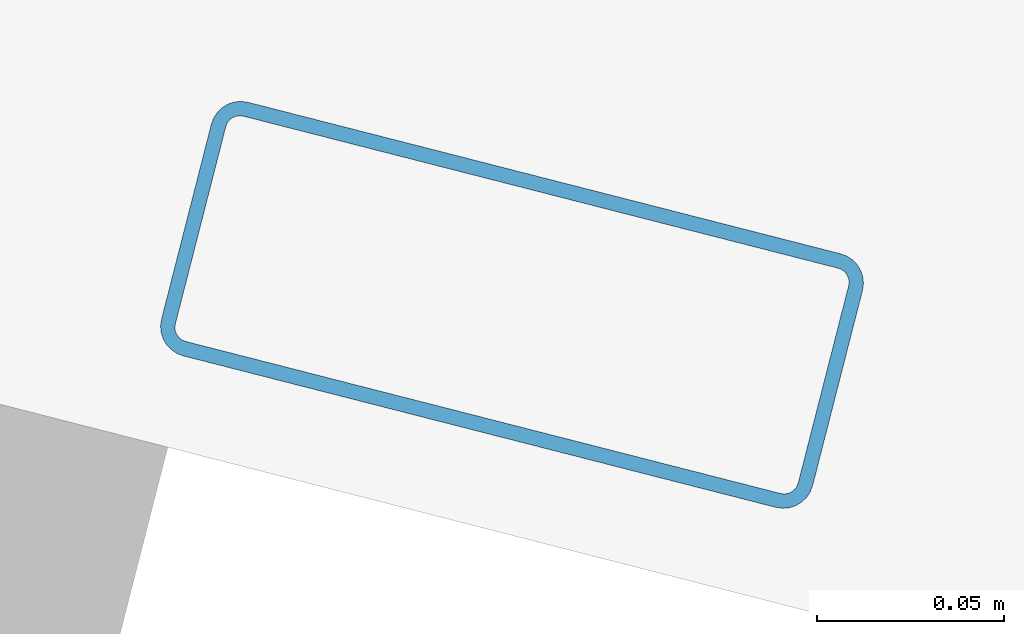
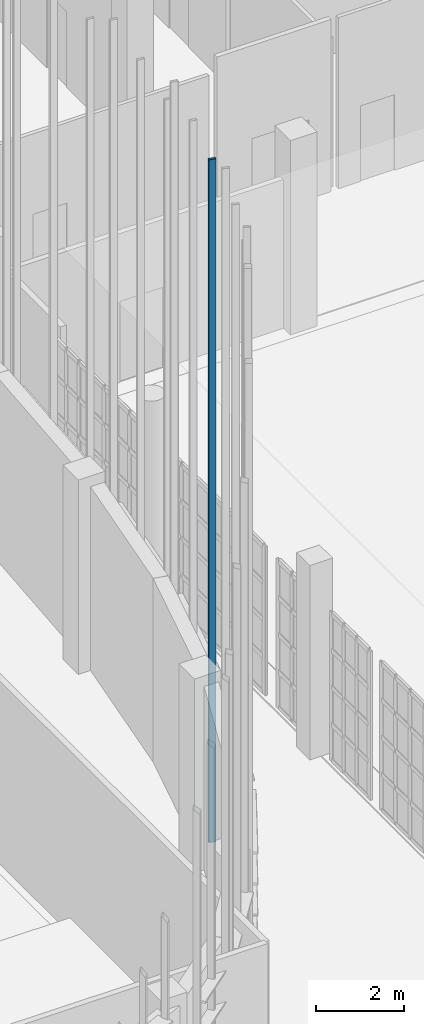
# One storey, part 213 of 372: 1 member.
"""IFC4 building model written with IfcOpenShell, lengths in metres."""

from ifc_helpers import new_model, si_unit, direction, frame, origin, origin_2d, place, context, subcontext, project, spatial, hollow_rectangle, extrude, material, material_profile, profile_set, type_object, element, save


model = new_model("IFC4")

# Units and contexts
model_context = context("Model", 3, precision=1e-05, world=origin(), true_north=direction((0.0, 1.0)))
body_context = subcontext(model_context, "Body", "Model", "MODEL_VIEW")
ifc_project = project(units=[si_unit("LENGTHUNIT", "METRE"), si_unit("AREAUNIT", "SQUARE_METRE"), si_unit("VOLUMEUNIT", "CUBIC_METRE"), si_unit("PLANEANGLEUNIT", "RADIAN"), si_unit("MASSUNIT", "GRAM", prefix="KILO")], contexts=[model_context])

# Site, building, storey
site_placement = place(None, origin())
site = spatial("IfcSite", under=ifc_project, at=site_placement, CompositionType="ELEMENT")
building_placement = place(site_placement, origin())
building = spatial("IfcBuilding", under=site, at=building_placement, Name="Kaelora Sail Theatre", CompositionType="ELEMENT")
storey_placement = place(building_placement, origin())
storey = spatial("IfcBuildingStorey", under=building, at=storey_placement, Name="L00", CompositionType="ELEMENT", Elevation=0.0)

# Member
ifc_material = material(Name="Anodised aluminium 6063-T6", Category="aluminium")
ifc_material_profile = material_profile(ifc_material, hollow_rectangle(XDim=0.070068359375, YDim=0.179931640625, WallThickness=0.00390625, InnerFilletRadius=0.00390625, OuterFilletRadius=0.008056640625, at=origin_2d()), Name="ALU-MULL 70x180x4")
ifc_profile_set = profile_set([ifc_material_profile], Name="Anodised aluminium 6063-T6")
member_type = type_object("IfcMemberType", Name="ARC-MEM-PST-160", PredefinedType="POST", material=ifc_profile_set)
member_placement = place(storey_placement, frame((102.952880859375, 44.150634765625, 0.0), z_axis=(0.0, 0.0, 1.0), x_axis=(-0.247675453076, -0.968843057437, 0.0)))
element("IfcMember", 1, at=member_placement, inside=storey, type_object=member_type, Name="Studio Theatre Sail Drum solar louvre vertical support post C4-3", PredefinedType="POST", context=body_context, shape_type="SweptSolid", body=[
    extrude(hollow_rectangle(XDim=0.070068359375, YDim=0.179931640625, WallThickness=0.00390625, InnerFilletRadius=0.00390625, OuterFilletRadius=0.008056640625, at=origin_2d()), origin(), (0.0, 0.0, 1.0), 18.98193359375),
])

save(model, "model.ifc")
